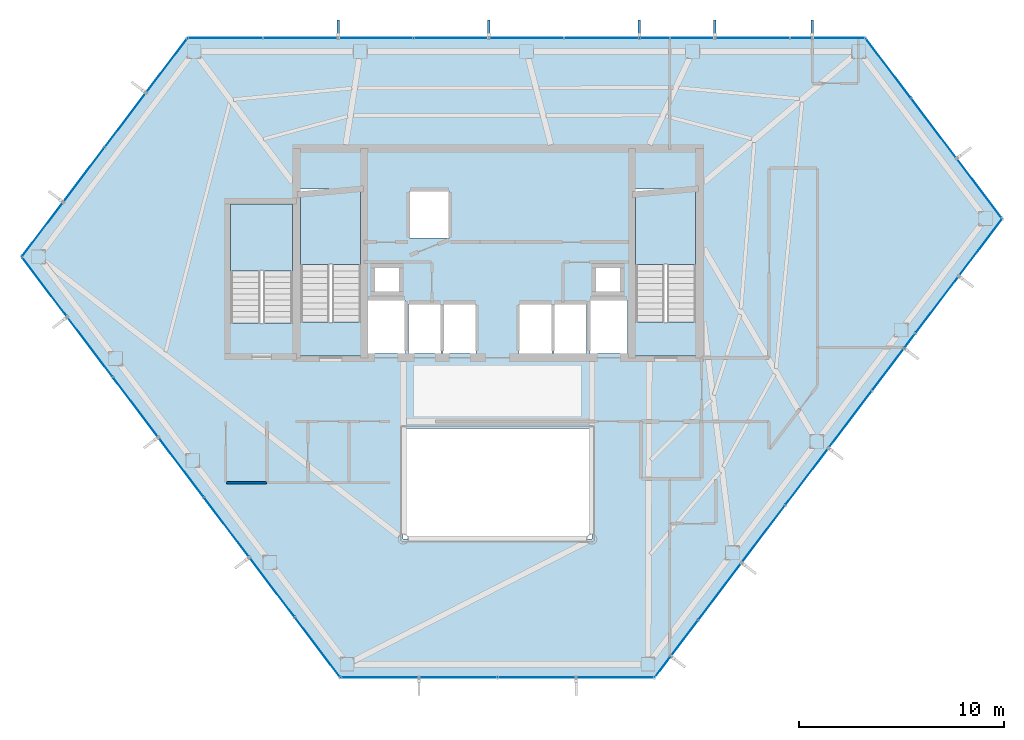
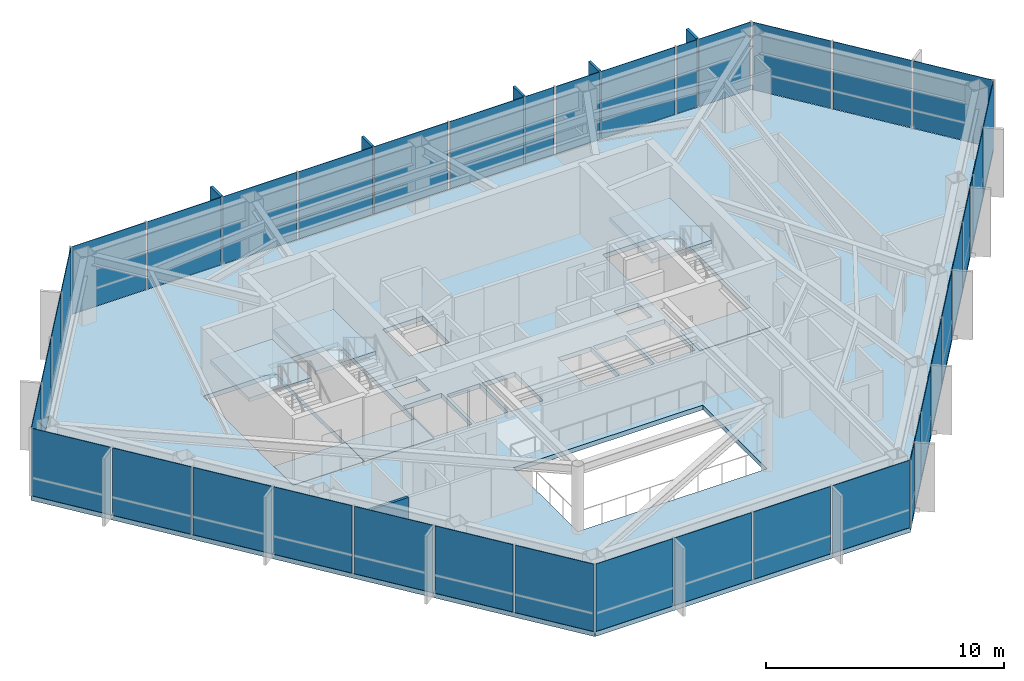
# One storey, part 24 of 28: 39 plates, 7 slabs, 5 members, 1 wall, 9 elements without a shape of their own.
"""IFC4 building model written with IfcOpenShell, lengths in metres."""

import ifcopenshell
import ifcopenshell.guid

model = None  # the IFC model being written
_history = None  # IfcOwnerHistory: only IFC2X3 demands one
_inside = {}  # id of a spatial element -> (the spatial element, [elements in it])
_under = {}  # id of a project, library or spatial element -> (it, [spatial elements below it])
_declared = {}  # id of a project -> (the project, [libraries it declares])
_typed = {}  # id of a type object -> (the type object, [elements of that type])
_made_of = {}  # id of a material, layer set ... -> (it, [elements and type objects made of it])


def new_model(schema):
    """Start an empty IFC model of exactly this schema.

    Asked for "IFC4X3", IfcOpenShell would pick the latest addendum, in which some entities
    have other attributes; the version numbers below select the first issue.
    IFC2X3 requires an IfcOwnerHistory on every rooted entity: one is made here for all.
    """
    global model, _history
    if schema == "IFC4X3":
        model = ifcopenshell.file(schema_version=(4, 3, 0, 0))
    else:
        model = ifcopenshell.file(schema=schema)
    _inside.clear()
    _under.clear()
    _declared.clear()
    _typed.clear()
    _made_of.clear()
    _history = None
    if model.schema == "IFC2X3":
        org = make("IfcOrganization", Name="unknown")
        user = make(
            "IfcPersonAndOrganization",
            ThePerson=make("IfcPerson", FamilyName="unknown"),
            TheOrganization=org,
        )
        app = make(
            "IfcApplication",
            ApplicationDeveloper=org,
            Version="unknown",
            ApplicationFullName="unknown",
            ApplicationIdentifier="unknown",
        )
        _history = make(
            "IfcOwnerHistory",
            OwningUser=user,
            OwningApplication=app,
            ChangeAction="ADDED",
            CreationDate=0,
        )
    return model


def make(cls, **values):
    """One entity of the class cls with the attributes given. An attribute that is None is left unset."""
    return model.create_entity(
        cls, **{name: value for name, value in values.items() if value is not None}
    )


def rooted(cls, **values):
    """An entity with a GlobalId (a new one), such as an element, a storey or a relation."""
    return make(cls, GlobalId=ifcopenshell.guid.new(), OwnerHistory=_history, **values)


def si_unit(unit_type, name, prefix=None):
    """IfcSIUnit, for example si_unit("LENGTHUNIT", "METRE", prefix="MILLI")."""
    return make("IfcSIUnit", UnitType=unit_type, Prefix=prefix, Name=name)


def assignment(units):
    """IfcUnitAssignment: the units of a project."""
    return None if units is None else make("IfcUnitAssignment", Units=units)


def point(xyz):
    """IfcCartesianPoint."""
    return None if xyz is None else make("IfcCartesianPoint", Coordinates=xyz)


def direction(xyz):
    """IfcDirection."""
    return None if xyz is None else make("IfcDirection", DirectionRatios=xyz)


def frame(location, z_axis=None, x_axis=None):
    """IfcAxis2Placement3D, a coordinate frame: its origin and axes. An axis left out is left unset."""
    return make(
        "IfcAxis2Placement3D",
        Location=point(location),
        Axis=direction(z_axis),
        RefDirection=direction(x_axis),
    )


def frame_2d(location, x_axis=None):
    """IfcAxis2Placement2D, a coordinate frame in the plane: its origin and x axis."""
    return make(
        "IfcAxis2Placement2D", Location=point(location), RefDirection=direction(x_axis)
    )


def origin():
    """The frame at (0, 0, 0) with its axes left unset."""
    return frame((0.0, 0.0, 0.0))


def origin_2d():
    """The frame at (0, 0) in the plane with its x axis left unset."""
    return frame_2d((0.0, 0.0))


def place(relative_to, where):
    """IfcLocalPlacement: puts the frame where relative to a parent placement (None: the world)."""
    return make(
        "IfcLocalPlacement", PlacementRelTo=relative_to, RelativePlacement=where
    )


def context(
    kind, dimensions, precision=None, world=None, true_north=None, identifier=None
):
    """IfcGeometricRepresentationContext, for example the 3D "Model" context."""
    return make(
        "IfcGeometricRepresentationContext",
        ContextIdentifier=identifier,
        ContextType=kind,
        CoordinateSpaceDimension=dimensions,
        Precision=precision,
        WorldCoordinateSystem=world,
        TrueNorth=true_north,
    )


def subcontext(parent, identifier, kind, view, scale=None):
    """IfcGeometricRepresentationSubContext, for example "Body" below "Model"."""
    return make(
        "IfcGeometricRepresentationSubContext",
        ContextIdentifier=identifier,
        ContextType=kind,
        ParentContext=parent,
        TargetScale=scale,
        TargetView=view,
    )


def project(units=None, contexts=None):
    """IfcProject with its units and contexts."""
    return rooted(
        "IfcProject",
        Name="project",
        RepresentationContexts=contexts,
        UnitsInContext=assignment(units),
    )


def spatial(cls, under=None, at=None, **own):
    """A site, building, storey or space (cls), placed at a placement, below another one or the project."""
    s = rooted(cls, ObjectPlacement=at, **own)
    if under is not None:
        _under.setdefault(under.id(), (under, []))[1].append(s)
    return s


def polyline(points):
    """IfcPolyline through the points."""
    return make("IfcPolyline", Points=[point(p) for p in points])


def profile(cls, at=None, kind="AREA", **sizes):
    """A parametric profile (cls). Its sizes go by their IFC names, for example OverallWidth=200.0."""
    return make(cls, ProfileType=kind, Position=at, **sizes)


def rectangle(**sizes):
    """IfcRectangleProfileDef."""
    return profile("IfcRectangleProfileDef", **sizes)


def outline(outer, holes=None, kind="AREA"):
    """IfcArbitraryClosedProfileDef: a profile drawn as a closed curve; with holes, ...WithVoids."""
    if holes is None:
        return make("IfcArbitraryClosedProfileDef", ProfileType=kind, OuterCurve=outer)
    return make(
        "IfcArbitraryProfileDefWithVoids",
        ProfileType=kind,
        OuterCurve=outer,
        InnerCurves=holes,
    )


def extrude(swept, where, along, depth):
    """IfcExtrudedAreaSolid: the profile swept, set in the frame where, extruded along a direction by depth."""
    return make(
        "IfcExtrudedAreaSolid",
        SweptArea=swept,
        Position=where,
        ExtrudedDirection=direction(along),
        Depth=depth,
    )


def shape(context_of_items, identifier, shape_type, items):
    """IfcShapeRepresentation: the items that make up one representation, for example the "Body"."""
    return make(
        "IfcShapeRepresentation",
        ContextOfItems=context_of_items,
        RepresentationIdentifier=identifier,
        RepresentationType=shape_type,
        Items=items,
    )


def material(Name=None, Category=None):
    """IfcMaterial."""
    return make("IfcMaterial", Name=Name, Category=Category)


def layer(
    of_material, thickness, ventilated=None, Name=None, Category=None, Priority=None
):
    """IfcMaterialLayer: one layer of a wall or slab, of a material (None: an air gap)."""
    return make(
        "IfcMaterialLayer",
        Material=of_material,
        LayerThickness=thickness,
        IsVentilated=ventilated,
        Name=Name,
        Category=Category,
        Priority=Priority,
    )


def layer_set(layers, Name=None):
    """IfcMaterialLayerSet."""
    return make("IfcMaterialLayerSet", MaterialLayers=layers, LayerSetName=Name)


def material_profile(
    of_material, cross_section, Name=None, Category=None, Priority=None
):
    """IfcMaterialProfile: a cross section and its material."""
    return make(
        "IfcMaterialProfile",
        Name=Name,
        Material=of_material,
        Profile=cross_section,
        Priority=Priority,
        Category=Category,
    )


def profile_set(profiles, Name=None, composite=None):
    """IfcMaterialProfileSet."""
    return make(
        "IfcMaterialProfileSet",
        Name=Name,
        MaterialProfiles=profiles,
        CompositeProfile=composite,
    )


def made_of(thing, what):
    """Note that an element or type object is made of a material, layer set ...; save() writes the relation."""
    if what is not None:
        _made_of.setdefault(what.id(), (what, []))[1].append(thing)
    return thing


def type_object(cls, material=None, **own):
    """A type object (cls), such as IfcWallType, which elements share."""
    return made_of(rooted(cls, **own), material)


def element(
    cls,
    number,
    at=None,
    inside=None,
    cuts=None,
    type_object=None,
    material=None,
    context=None,
    identifier="Body",
    shape_type=None,
    held_by="IfcProductDefinitionShape",
    body=None,
    shapes=None,
    **own,
):
    """One element of the class cls, such as IfcWall. Its Tag is "e" and its number.

    at: its placement. inside: the storey or other place that contains it. cuts: it is an
    opening in that element (IfcRelVoidsElement). A single representation is given by context,
    identifier, shape_type and body (its items); several are given by shapes. held_by: the class
    of the entity that holds the representations. save() writes the other relations.
    """
    e = rooted(cls, Tag="e%d" % number, ObjectPlacement=at, **own)
    if body is not None:
        shapes = [shape(context, identifier, shape_type, body)]
    if shapes is not None:
        e.Representation = make(held_by, Representations=shapes)
    if inside is not None:
        _inside.setdefault(inside.id(), (inside, []))[1].append(e)
    if cuts is not None:
        rooted(
            "IfcRelVoidsElement", RelatingBuildingElement=cuts, RelatedOpeningElement=e
        )
    if type_object is not None:
        _typed.setdefault(type_object.id(), (type_object, []))[1].append(e)
    return made_of(e, material)


def aggregate(whole, parts):
    """IfcRelAggregates: a whole, such as a stair, and the parts it consists of."""
    return rooted("IfcRelAggregates", RelatingObject=whole, RelatedObjects=parts)


def save(model, path):
    """Write the relations noted so far, then the file.

    IfcRelAggregates (storeys below a building ...), IfcRelContainedInSpatialStructure (elements
    in a storey), IfcRelDefinesByType, IfcRelAssociatesMaterial and IfcRelDeclares: one each for
    every whole, place, type object, material and project.
    """
    for whole, parts in _under.values():
        aggregate(whole, parts)
    for where, things in _inside.values():
        rooted(
            "IfcRelContainedInSpatialStructure",
            RelatedElements=things,
            RelatingStructure=where,
        )
    for kind, things in _typed.values():
        rooted("IfcRelDefinesByType", RelatedObjects=things, RelatingType=kind)
    for what, things in _made_of.values():
        rooted("IfcRelAssociatesMaterial", RelatedObjects=things, RelatingMaterial=what)
    for by, libraries in _declared.values():
        rooted("IfcRelDeclares", RelatingContext=by, RelatedDefinitions=libraries)
    model.write(path)


model = new_model("IFC4")

# Units and contexts
model_context = context("Model", 3, precision=1e-05, world=origin(), true_north=direction((0.0, 1.0)))
body_context = subcontext(model_context, "Body", "Model", "MODEL_VIEW")
ifc_project = project(units=[si_unit("LENGTHUNIT", "METRE"), si_unit("AREAUNIT", "SQUARE_METRE"), si_unit("VOLUMEUNIT", "CUBIC_METRE"), si_unit("PLANEANGLEUNIT", "RADIAN"), si_unit("MASSUNIT", "GRAM", prefix="KILO")], contexts=[model_context])

# Site, building, storey
site_placement = place(None, origin())
site = spatial("IfcSite", under=ifc_project, at=site_placement, CompositionType="ELEMENT")
building_placement = place(site_placement, origin())
building = spatial("IfcBuilding", under=site, at=building_placement, Name="Zarrinselat Tower", CompositionType="ELEMENT")
storey_placement = place(building_placement, frame((0.0, 0.0, 164.56005859375)))
storey = spatial("IfcBuildingStorey", under=building, at=storey_placement, Name="L40", CompositionType="ELEMENT", Elevation=164.56005859375)

# Curtain wall, members, plates
ifc_material_1 = material(Name="Extruded Aluminium Alloy EN AW-6063 T6", Category="aluminium")
ifc_layer_1 = layer(ifc_material_1, 0.175048828125)
ifc_layer_set_1 = layer_set([ifc_layer_1], Name="Extruded Aluminium Alloy EN AW-6063 T6")
curtain_wall_type = type_object("IfcCurtainWallType", Name="CWS-HTL", PredefinedType="NOTDEFINED", material=ifc_layer_set_1)
curtain_wall_1_placement = place(storey_placement, origin())
curtain_wall_1 = element("IfcCurtainWall", 1, at=curtain_wall_1_placement, inside=storey, type_object=curtain_wall_type, Name="L40 Unitised Curtain Wall CW-L40-E01", PredefinedType="NOTDEFINED")
ifc_material_2 = material(Name="Honed Cream Travertine Stone", Category="masonry")
ifc_material_profile = material_profile(ifc_material_2, rectangle(XDim=0.1201171875, YDim=0.85009765625, at=origin_2d()), Name="FIN 850x120")
ifc_profile_set = profile_set([ifc_material_profile], Name="Honed Cream Travertine Stone")
member_type = type_object("IfcMemberType", Name="MEM-STONE-FIN", PredefinedType="USERDEFINED", material=ifc_profile_set)
member_1_placement = place(storey_placement, frame((53.74609375, 49.298828125, 0.0), z_axis=(0.0, 0.0, 1.0), x_axis=(1.0, 0.0, 0.0)))
member_1 = element("IfcMember", 2, at=member_1_placement, type_object=member_type, Name="L40 Stone Shading Fin CW-L40-E01-01", ObjectType="FIN", PredefinedType="USERDEFINED", context=body_context, shape_type="SweptSolid", body=[
    extrude(rectangle(XDim=0.1201171875, YDim=0.85009765625, at=origin_2d()), origin(), (0.0, 0.0, 1.0), 3.5),
])
member_2_placement = place(storey_placement, frame((48.99755859375, 49.298828125, 0.0), z_axis=(0.0, 0.0, 1.0), x_axis=(1.0, 0.0, 0.0)))
member_2 = element("IfcMember", 3, at=member_2_placement, type_object=member_type, Name="L40 Stone Shading Fin CW-L40-E01-03", ObjectType="FIN", PredefinedType="USERDEFINED", context=body_context, shape_type="SweptSolid", body=[
    extrude(rectangle(XDim=0.1201171875, YDim=0.85009765625, at=origin_2d()), origin(), (0.0, 0.0, 1.0), 3.5),
])
member_3_placement = place(storey_placement, frame((45.322998046875, 49.298828125, 0.0), z_axis=(0.0, 0.0, 1.0), x_axis=(1.0, 0.0, 0.0)))
member_3 = element("IfcMember", 4, at=member_3_placement, type_object=member_type, Name="L40 Stone Shading Fin CW-L40-E01-05", ObjectType="FIN", PredefinedType="USERDEFINED", context=body_context, shape_type="SweptSolid", body=[
    extrude(rectangle(XDim=0.1201171875, YDim=0.85009765625, at=origin_2d()), origin(), (0.0, 0.0, 1.0), 3.5),
])
member_4_placement = place(storey_placement, frame((37.973876953125, 49.298828125, 0.0), z_axis=(0.0, 0.0, 1.0), x_axis=(1.0, 0.0, 0.0)))
member_4 = element("IfcMember", 5, at=member_4_placement, type_object=member_type, Name="L40 Stone Shading Fin CW-L40-E01-07", ObjectType="FIN", PredefinedType="USERDEFINED", context=body_context, shape_type="SweptSolid", body=[
    extrude(rectangle(XDim=0.1201171875, YDim=0.85009765625, at=origin_2d()), origin(), (0.0, 0.0, 1.0), 3.5),
])
member_5_placement = place(storey_placement, frame((30.62451171875, 49.298828125, 0.0), z_axis=(0.0, 0.0, 1.0), x_axis=(1.0, 0.0, 0.0)))
member_5 = element("IfcMember", 6, at=member_5_placement, type_object=member_type, Name="L40 Stone Shading Fin CW-L40-E01-09", ObjectType="FIN", PredefinedType="USERDEFINED", context=body_context, shape_type="SweptSolid", body=[
    extrude(rectangle(XDim=0.1201171875, YDim=0.85009765625, at=origin_2d()), origin(), (0.0, 0.0, 1.0), 3.5),
])
ifc_material_3 = material(Name="Double Low-E Laminated Solar Glass", Category="glass")
ifc_layer_2 = layer(ifc_material_3, 0.028076171875)
ifc_layer_set_2 = layer_set([ifc_layer_2], Name="Double Low-E Laminated Solar Glass")
plate_type = type_object("IfcPlateType", Name="PLT-CW-GL28", PredefinedType="CURTAIN_PANEL", material=ifc_layer_set_2)
plate_1_placement = place(storey_placement, frame((55.04638671875, 48.8388671875, 0.02001953125), z_axis=(0.0, 0.0, 1.0), x_axis=(-1.0, 0.0, 0.0)))
plate_1 = element("IfcPlate", 7, at=plate_1_placement, type_object=plate_type, Name="CW-L40-E01 Vision Glass Panel 1", PredefinedType="CURTAIN_PANEL", context=body_context, shape_type="SweptSolid", body=[
    extrude(rectangle(XDim=2.500732421875, YDim=0.028076171875, at=origin_2d()), origin(), (0.0, 0.0, 1.0), 3.4599609375),
])
plate_2_placement = place(storey_placement, frame((53.208984375, 48.8388671875, 0.02001953125), z_axis=(0.0, 0.0, 1.0), x_axis=(-1.0, 0.0, 0.0)))
plate_2 = element("IfcPlate", 8, at=plate_2_placement, type_object=plate_type, Name="CW-L40-E01 Vision Glass Panel 2", PredefinedType="CURTAIN_PANEL", context=body_context, shape_type="SweptSolid", body=[
    extrude(rectangle(XDim=0.973876953125, YDim=0.028076171875, at=origin_2d()), origin(), (0.0, 0.0, 1.0), 3.4599609375),
])
plate_3_placement = place(storey_placement, frame((50.834716796875, 48.8388671875, 0.02001953125), z_axis=(0.0, 0.0, 1.0), x_axis=(-1.0, 0.0, 0.0)))
plate_3 = element("IfcPlate", 9, at=plate_3_placement, type_object=plate_type, Name="CW-L40-E01 Vision Glass Panel 3", PredefinedType="CURTAIN_PANEL", context=body_context, shape_type="SweptSolid", body=[
    extrude(rectangle(XDim=3.57470703125, YDim=0.028076171875, at=origin_2d()), origin(), (0.0, 0.0, 1.0), 3.4599609375),
])
plate_4_placement = place(storey_placement, frame((47.898681640625, 48.8388671875, 0.02001953125), z_axis=(0.0, 0.0, 1.0), x_axis=(-1.0, 0.0, 0.0)))
plate_4 = element("IfcPlate", 10, at=plate_4_placement, type_object=plate_type, Name="CW-L40-E01 Vision Glass Panel 4", PredefinedType="CURTAIN_PANEL", context=body_context, shape_type="SweptSolid", body=[
    extrude(rectangle(XDim=2.097412109375, YDim=0.028076171875, at=origin_2d()), origin(), (0.0, 0.0, 1.0), 3.4599609375),
])
plate_5_placement = place(storey_placement, frame((46.0615234375, 48.8388671875, 0.02001953125), z_axis=(0.0, 0.0, 1.0), x_axis=(-1.0, 0.0, 0.0)))
plate_5 = element("IfcPlate", 11, at=plate_5_placement, type_object=plate_type, Name="CW-L40-E01 Vision Glass Panel 5", PredefinedType="CURTAIN_PANEL", context=body_context, shape_type="SweptSolid", body=[
    extrude(rectangle(XDim=1.377197265625, YDim=0.028076171875, at=origin_2d()), origin(), (0.0, 0.0, 1.0), 3.4599609375),
])
plate_6_placement = place(storey_placement, frame((43.485595703125, 48.8388671875, 0.02001953125), z_axis=(0.0, 0.0, 1.0), x_axis=(-1.0, 0.0, 0.0)))
plate_6 = element("IfcPlate", 12, at=plate_6_placement, type_object=plate_type, Name="CW-L40-E01 Vision Glass Panel 6", PredefinedType="CURTAIN_PANEL", context=body_context, shape_type="SweptSolid", body=[
    extrude(rectangle(XDim=3.57470703125, YDim=0.028076171875, at=origin_2d()), origin(), (0.0, 0.0, 1.0), 3.4599609375),
])
plate_7_placement = place(storey_placement, frame((39.81103515625, 48.8388671875, 0.02001953125), z_axis=(0.0, 0.0, 1.0), x_axis=(-1.0, 0.0, 0.0)))
plate_7 = element("IfcPlate", 13, at=plate_7_placement, type_object=plate_type, Name="CW-L40-E01 Vision Glass Panel 7", PredefinedType="CURTAIN_PANEL", context=body_context, shape_type="SweptSolid", body=[
    extrude(rectangle(XDim=3.57470703125, YDim=0.028076171875, at=origin_2d()), origin(), (0.0, 0.0, 1.0), 3.4599609375),
])
plate_8_placement = place(storey_placement, frame((36.136474609375, 48.8388671875, 0.02001953125), z_axis=(0.0, 0.0, 1.0), x_axis=(-1.0, 0.0, 0.0)))
plate_8 = element("IfcPlate", 14, at=plate_8_placement, type_object=plate_type, Name="CW-L40-E01 Vision Glass Panel 8", PredefinedType="CURTAIN_PANEL", context=body_context, shape_type="SweptSolid", body=[
    extrude(rectangle(XDim=3.57470703125, YDim=0.028076171875, at=origin_2d()), origin(), (0.0, 0.0, 1.0), 3.4599609375),
])
plate_9_placement = place(storey_placement, frame((32.4619140625, 48.8388671875, 0.02001953125), z_axis=(0.0, 0.0, 1.0), x_axis=(-1.0, 0.0, 0.0)))
plate_9 = element("IfcPlate", 15, at=plate_9_placement, type_object=plate_type, Name="CW-L40-E01 Vision Glass Panel 9", PredefinedType="CURTAIN_PANEL", context=body_context, shape_type="SweptSolid", body=[
    extrude(rectangle(XDim=3.57470703125, YDim=0.028076171875, at=origin_2d()), origin(), (0.0, 0.0, 1.0), 3.4599609375),
])
plate_10_placement = place(storey_placement, frame((28.787353515625, 48.8388671875, 0.02001953125), z_axis=(0.0, 0.0, 1.0), x_axis=(-1.0, 0.0, 0.0)))
plate_10 = element("IfcPlate", 16, at=plate_10_placement, type_object=plate_type, Name="CW-L40-E01 Vision Glass Panel 10", PredefinedType="CURTAIN_PANEL", context=body_context, shape_type="SweptSolid", body=[
    extrude(rectangle(XDim=3.57470703125, YDim=0.028076171875, at=origin_2d()), origin(), (0.0, 0.0, 1.0), 3.4599609375),
])
plate_11_placement = place(storey_placement, frame((25.11279296875, 48.8388671875, 0.02001953125), z_axis=(0.0, 0.0, 1.0), x_axis=(-1.0, 0.0, 0.0)))
plate_11 = element("IfcPlate", 17, at=plate_11_placement, type_object=plate_type, Name="CW-L40-E01 Vision Glass Panel 11", PredefinedType="CURTAIN_PANEL", context=body_context, shape_type="SweptSolid", body=[
    extrude(rectangle(XDim=3.57470703125, YDim=0.028076171875, at=origin_2d()), origin(), (0.0, 0.0, 1.0), 3.4599609375),
])
aggregate(curtain_wall_1, [member_1, member_2, member_3, member_4, member_5, plate_1, plate_2, plate_3, plate_4, plate_5, plate_6, plate_7, plate_8, plate_9, plate_10, plate_11])

# Curtain wall, plates
curtain_wall_2_placement = place(storey_placement, origin())
curtain_wall_2 = element("IfcCurtainWall", 18, at=curtain_wall_2_placement, inside=storey, type_object=curtain_wall_type, Name="L40 Unitised Curtain Wall CW-L40-E02", PredefinedType="NOTDEFINED")
plate_12_placement = place(storey_placement, frame((22.26513671875, 47.50537109375, 0.02001953125), z_axis=(0.0, 0.0, 1.0), x_axis=(-0.603854523079, -0.797094545808, 0.0)))
plate_12 = element("IfcPlate", 19, at=plate_12_placement, type_object=plate_type, Name="CW-L40-E02 Vision Glass Panel 1", PredefinedType="CURTAIN_PANEL", context=body_context, shape_type="SweptSolid", body=[
    extrude(rectangle(XDim=3.245849609375, YDim=0.028076171875, at=origin_2d()), origin(), (0.0, 0.0, 1.0), 3.4599609375),
])
plate_13_placement = place(storey_placement, frame((20.244873046875, 44.83837890625, 0.02001953125), z_axis=(0.0, 0.0, 1.0), x_axis=(-0.603854523079, -0.797094545808, 0.0)))
plate_13 = element("IfcPlate", 20, at=plate_13_placement, type_object=plate_type, Name="CW-L40-E02 Vision Glass Panel 2", PredefinedType="CURTAIN_PANEL", context=body_context, shape_type="SweptSolid", body=[
    extrude(rectangle(XDim=3.245849609375, YDim=0.028076171875, at=origin_2d()), origin(), (0.0, 0.0, 1.0), 3.4599609375),
])
plate_14_placement = place(storey_placement, frame((18.224365234375, 42.17138671875, 0.02001953125), z_axis=(0.0, 0.0, 1.0), x_axis=(-0.603854523079, -0.797094545808, 0.0)))
plate_14 = element("IfcPlate", 21, at=plate_14_placement, type_object=plate_type, Name="CW-L40-E02 Vision Glass Panel 3", PredefinedType="CURTAIN_PANEL", context=body_context, shape_type="SweptSolid", body=[
    extrude(rectangle(XDim=3.245849609375, YDim=0.028076171875, at=origin_2d()), origin(), (0.0, 0.0, 1.0), 3.4599609375),
])
plate_15_placement = place(storey_placement, frame((16.2041015625, 39.504638671875, 0.02001953125), z_axis=(0.0, 0.0, 1.0), x_axis=(-0.603854523079, -0.797094545808, 0.0)))
plate_15 = element("IfcPlate", 22, at=plate_15_placement, type_object=plate_type, Name="CW-L40-E02 Vision Glass Panel 4", PredefinedType="CURTAIN_PANEL", context=body_context, shape_type="SweptSolid", body=[
    extrude(rectangle(XDim=3.245849609375, YDim=0.028076171875, at=origin_2d()), origin(), (0.0, 0.0, 1.0), 3.4599609375),
])
aggregate(curtain_wall_2, [plate_12, plate_13, plate_14, plate_15])

curtain_wall_3_placement = place(storey_placement, origin())
curtain_wall_3 = element("IfcCurtainWall", 23, at=curtain_wall_3_placement, inside=storey, type_object=curtain_wall_type, Name="L40 Unitised Curtain Wall CW-L40-E03", PredefinedType="NOTDEFINED")
plate_16_placement = place(storey_placement, frame((16.30419921875, 36.70556640625, 0.02001953125), z_axis=(0.0, 0.0, 1.0), x_axis=(0.603857987184, -0.797091921496, 0.0)))
plate_16 = element("IfcPlate", 24, at=plate_16_placement, type_object=plate_type, Name="CW-L40-E03 Vision Glass Panel 1", PredefinedType="CURTAIN_PANEL", context=body_context, shape_type="SweptSolid", body=[
    extrude(rectangle(XDim=3.577392578125, YDim=0.028076171875, at=origin_2d()), origin(), (0.0, 0.0, 1.0), 3.4599609375),
])
plate_17_placement = place(storey_placement, frame((18.524658203125, 33.7744140625, 0.02001953125), z_axis=(0.0, 0.0, 1.0), x_axis=(0.603857987184, -0.797091921496, 0.0)))
plate_17 = element("IfcPlate", 25, at=plate_17_placement, type_object=plate_type, Name="CW-L40-E03 Vision Glass Panel 2", PredefinedType="CURTAIN_PANEL", context=body_context, shape_type="SweptSolid", body=[
    extrude(rectangle(XDim=3.577392578125, YDim=0.028076171875, at=origin_2d()), origin(), (0.0, 0.0, 1.0), 3.4599609375),
])
plate_18_placement = place(storey_placement, frame((20.7451171875, 30.84326171875, 0.02001953125), z_axis=(0.0, 0.0, 1.0), x_axis=(0.603857987184, -0.797091921496, 0.0)))
plate_18 = element("IfcPlate", 26, at=plate_18_placement, type_object=plate_type, Name="CW-L40-E03 Vision Glass Panel 3", PredefinedType="CURTAIN_PANEL", context=body_context, shape_type="SweptSolid", body=[
    extrude(rectangle(XDim=3.577392578125, YDim=0.028076171875, at=origin_2d()), origin(), (0.0, 0.0, 1.0), 3.4599609375),
])
plate_19_placement = place(storey_placement, frame((22.9658203125, 27.912109375, 0.02001953125), z_axis=(0.0, 0.0, 1.0), x_axis=(0.603857987184, -0.797091921496, 0.0)))
plate_19 = element("IfcPlate", 27, at=plate_19_placement, type_object=plate_type, Name="CW-L40-E03 Vision Glass Panel 4", PredefinedType="CURTAIN_PANEL", context=body_context, shape_type="SweptSolid", body=[
    extrude(rectangle(XDim=3.577392578125, YDim=0.028076171875, at=origin_2d()), origin(), (0.0, 0.0, 1.0), 3.4599609375),
])
plate_20_placement = place(storey_placement, frame((25.186279296875, 24.981201171875, 0.02001953125), z_axis=(0.0, 0.0, 1.0), x_axis=(0.603857987184, -0.797091921496, 0.0)))
plate_20 = element("IfcPlate", 28, at=plate_20_placement, type_object=plate_type, Name="CW-L40-E03 Vision Glass Panel 5", PredefinedType="CURTAIN_PANEL", context=body_context, shape_type="SweptSolid", body=[
    extrude(rectangle(XDim=3.577392578125, YDim=0.028076171875, at=origin_2d()), origin(), (0.0, 0.0, 1.0), 3.4599609375),
])
plate_21_placement = place(storey_placement, frame((27.40673828125, 22.050048828125, 0.02001953125), z_axis=(0.0, 0.0, 1.0), x_axis=(0.603857987184, -0.797091921496, 0.0)))
plate_21 = element("IfcPlate", 29, at=plate_21_placement, type_object=plate_type, Name="CW-L40-E03 Vision Glass Panel 6", PredefinedType="CURTAIN_PANEL", context=body_context, shape_type="SweptSolid", body=[
    extrude(rectangle(XDim=3.577392578125, YDim=0.028076171875, at=origin_2d()), origin(), (0.0, 0.0, 1.0), 3.4599609375),
])
plate_22_placement = place(storey_placement, frame((29.627197265625, 19.118896484375, 0.02001953125), z_axis=(0.0, 0.0, 1.0), x_axis=(0.603857987184, -0.797091921496, 0.0)))
plate_22 = element("IfcPlate", 30, at=plate_22_placement, type_object=plate_type, Name="CW-L40-E03 Vision Glass Panel 7", PredefinedType="CURTAIN_PANEL", context=body_context, shape_type="SweptSolid", body=[
    extrude(rectangle(XDim=3.577392578125, YDim=0.028076171875, at=origin_2d()), origin(), (0.0, 0.0, 1.0), 3.4599609375),
])
aggregate(curtain_wall_3, [plate_16, plate_17, plate_18, plate_19, plate_20, plate_21, plate_22])

curtain_wall_4_placement = place(storey_placement, origin())
curtain_wall_4 = element("IfcCurtainWall", 31, at=curtain_wall_4_placement, inside=storey, type_object=curtain_wall_type, Name="L40 Unitised Curtain Wall CW-L40-E04", PredefinedType="NOTDEFINED")
plate_23_placement = place(storey_placement, frame((32.6533203125, 17.6533203125, 0.02001953125), z_axis=(0.0, 0.0, 1.0), x_axis=(1.0, 0.0, 0.0)))
plate_23 = element("IfcPlate", 32, at=plate_23_placement, type_object=plate_type, Name="CW-L40-E04 Vision Glass Panel 1", PredefinedType="CURTAIN_PANEL", context=body_context, shape_type="SweptSolid", body=[
    extrude(rectangle(XDim=3.731201171875, YDim=0.028076171875, at=origin_2d()), origin(), (0.0, 0.0, 1.0), 3.4599609375),
])
plate_24_placement = place(storey_placement, frame((36.484375, 17.6533203125, 0.02001953125), z_axis=(0.0, 0.0, 1.0), x_axis=(1.0, 0.0, 0.0)))
plate_24 = element("IfcPlate", 33, at=plate_24_placement, type_object=plate_type, Name="CW-L40-E04 Vision Glass Panel 2", PredefinedType="CURTAIN_PANEL", context=body_context, shape_type="SweptSolid", body=[
    extrude(rectangle(XDim=3.731201171875, YDim=0.028076171875, at=origin_2d()), origin(), (0.0, 0.0, 1.0), 3.4599609375),
])
plate_25_placement = place(storey_placement, frame((40.315673828125, 17.6533203125, 0.02001953125), z_axis=(0.0, 0.0, 1.0), x_axis=(1.0, 0.0, 0.0)))
plate_25 = element("IfcPlate", 34, at=plate_25_placement, type_object=plate_type, Name="CW-L40-E04 Vision Glass Panel 3", PredefinedType="CURTAIN_PANEL", context=body_context, shape_type="SweptSolid", body=[
    extrude(rectangle(XDim=3.731201171875, YDim=0.028076171875, at=origin_2d()), origin(), (0.0, 0.0, 1.0), 3.4599609375),
])
plate_26_placement = place(storey_placement, frame((44.146728515625, 17.6533203125, 0.02001953125), z_axis=(0.0, 0.0, 1.0), x_axis=(1.0, 0.0, 0.0)))
plate_26 = element("IfcPlate", 35, at=plate_26_placement, type_object=plate_type, Name="CW-L40-E04 Vision Glass Panel 4", PredefinedType="CURTAIN_PANEL", context=body_context, shape_type="SweptSolid", body=[
    extrude(rectangle(XDim=3.731201171875, YDim=0.028076171875, at=origin_2d()), origin(), (0.0, 0.0, 1.0), 3.4599609375),
])
aggregate(curtain_wall_4, [plate_23, plate_24, plate_25, plate_26])

curtain_wall_5_placement = place(storey_placement, origin())
curtain_wall_5 = element("IfcCurtainWall", 36, at=curtain_wall_5_placement, inside=storey, type_object=curtain_wall_type, Name="L40 Unitised Curtain Wall CW-L40-E05", PredefinedType="NOTDEFINED")
plate_27_placement = place(storey_placement, frame((46.455078125, 18.171630859375, 0.02001953125), z_axis=(0.0, 0.0, 1.0), x_axis=(0.603858853713, 0.797091265033, 0.0)))
plate_27 = element("IfcPlate", 37, at=plate_27_placement, type_object=plate_type, Name="CW-L40-E05 Vision Glass Panel 1", PredefinedType="CURTAIN_PANEL", context=body_context, shape_type="SweptSolid", body=[
    extrude(rectangle(XDim=1.20068359375, YDim=0.028076171875, at=origin_2d()), origin(), (0.0, 0.0, 1.0), 3.4599609375),
])
plate_28_placement = place(storey_placement, frame((47.514892578125, 19.570556640625, 0.02001953125), z_axis=(0.0, 0.0, 1.0), x_axis=(0.603858853713, 0.797091265033, 0.0)))
plate_28 = element("IfcPlate", 38, at=plate_28_placement, type_object=plate_type, Name="CW-L40-E05 Vision Glass Panel 2", PredefinedType="CURTAIN_PANEL", context=body_context, shape_type="SweptSolid", body=[
    extrude(rectangle(XDim=2.10888671875, YDim=0.028076171875, at=origin_2d()), origin(), (0.0, 0.0, 1.0), 3.4599609375),
])
plate_29_placement = place(storey_placement, frame((49.241455078125, 21.849609375, 0.02001953125), z_axis=(0.0, 0.0, 1.0), x_axis=(0.603858853713, 0.797091265033, 0.0)))
plate_29 = element("IfcPlate", 39, at=plate_29_placement, type_object=plate_type, Name="CW-L40-E05 Vision Glass Panel 3", PredefinedType="CURTAIN_PANEL", context=body_context, shape_type="SweptSolid", body=[
    extrude(rectangle(XDim=3.40966796875, YDim=0.028076171875, at=origin_2d()), origin(), (0.0, 0.0, 1.0), 3.4599609375),
])
plate_30_placement = place(storey_placement, frame((51.36083984375, 24.647216796875, 0.02001953125), z_axis=(0.0, 0.0, 1.0), x_axis=(0.603858853713, 0.797091265033, 0.0)))
plate_30 = element("IfcPlate", 40, at=plate_30_placement, type_object=plate_type, Name="CW-L40-E05 Vision Glass Panel 4", PredefinedType="CURTAIN_PANEL", context=body_context, shape_type="SweptSolid", body=[
    extrude(rectangle(XDim=3.40966796875, YDim=0.028076171875, at=origin_2d()), origin(), (0.0, 0.0, 1.0), 3.4599609375),
])
plate_31_placement = place(storey_placement, frame((53.480224609375, 27.444580078125, 0.02001953125), z_axis=(0.0, 0.0, 1.0), x_axis=(0.603858853713, 0.797091265033, 0.0)))
plate_31 = element("IfcPlate", 41, at=plate_31_placement, type_object=plate_type, Name="CW-L40-E05 Vision Glass Panel 5", PredefinedType="CURTAIN_PANEL", context=body_context, shape_type="SweptSolid", body=[
    extrude(rectangle(XDim=3.40966796875, YDim=0.028076171875, at=origin_2d()), origin(), (0.0, 0.0, 1.0), 3.4599609375),
])
plate_32_placement = place(storey_placement, frame((55.599609375, 30.2421875, 0.02001953125), z_axis=(0.0, 0.0, 1.0), x_axis=(0.603858853713, 0.797091265033, 0.0)))
plate_32 = element("IfcPlate", 42, at=plate_32_placement, type_object=plate_type, Name="CW-L40-E05 Vision Glass Panel 6", PredefinedType="CURTAIN_PANEL", context=body_context, shape_type="SweptSolid", body=[
    extrude(rectangle(XDim=3.40966796875, YDim=0.028076171875, at=origin_2d()), origin(), (0.0, 0.0, 1.0), 3.4599609375),
])
plate_33_placement = place(storey_placement, frame((57.4453125, 32.6787109375, 0.02001953125), z_axis=(0.0, 0.0, 1.0), x_axis=(0.603858853713, 0.797091265033, 0.0)))
plate_33 = element("IfcPlate", 43, at=plate_33_placement, type_object=plate_type, Name="CW-L40-E05 Vision Glass Panel 7", PredefinedType="CURTAIN_PANEL", context=body_context, shape_type="SweptSolid", body=[
    extrude(rectangle(XDim=2.503662109375, YDim=0.028076171875, at=origin_2d()), origin(), (0.0, 0.0, 1.0), 3.4599609375),
])
plate_34_placement = place(storey_placement, frame((58.5048828125, 34.077392578125, 0.02001953125), z_axis=(0.0, 0.0, 1.0), x_axis=(0.603858853713, 0.797091265033, 0.0)))
plate_34 = element("IfcPlate", 44, at=plate_34_placement, type_object=plate_type, Name="CW-L40-E05 Vision Glass Panel 8", PredefinedType="CURTAIN_PANEL", context=body_context, shape_type="SweptSolid", body=[
    extrude(rectangle(XDim=0.80615234375, YDim=0.028076171875, at=origin_2d()), origin(), (0.0, 0.0, 1.0), 3.4599609375),
])
plate_35_placement = place(storey_placement, frame((59.83837890625, 35.83740234375, 0.02001953125), z_axis=(0.0, 0.0, 1.0), x_axis=(0.603858853713, 0.797091265033, 0.0)))
plate_35 = element("IfcPlate", 45, at=plate_35_placement, type_object=plate_type, Name="CW-L40-E05 Vision Glass Panel 9", PredefinedType="CURTAIN_PANEL", context=body_context, shape_type="SweptSolid", body=[
    extrude(rectangle(XDim=3.40966796875, YDim=0.028076171875, at=origin_2d()), origin(), (0.0, 0.0, 1.0), 3.4599609375),
])
plate_36_placement = place(storey_placement, frame((61.95751953125, 38.635009765625, 0.02001953125), z_axis=(0.0, 0.0, 1.0), x_axis=(0.603858853713, 0.797091265033, 0.0)))
plate_36 = element("IfcPlate", 46, at=plate_36_placement, type_object=plate_type, Name="CW-L40-E05 Vision Glass Panel 10", PredefinedType="CURTAIN_PANEL", context=body_context, shape_type="SweptSolid", body=[
    extrude(rectangle(XDim=3.40966796875, YDim=0.028076171875, at=origin_2d()), origin(), (0.0, 0.0, 1.0), 3.4599609375),
])
aggregate(curtain_wall_5, [plate_27, plate_28, plate_29, plate_30, plate_31, plate_32, plate_33, plate_34, plate_35, plate_36])

curtain_wall_6_placement = place(storey_placement, origin())
curtain_wall_6 = element("IfcCurtainWall", 47, at=curtain_wall_6_placement, inside=storey, type_object=curtain_wall_type, Name="L40 Unitised Curtain Wall CW-L40-E06", PredefinedType="NOTDEFINED")
plate_37_placement = place(storey_placement, frame((61.905517578125, 41.501220703125, 0.02001953125), z_axis=(0.0, 0.0, 1.0), x_axis=(-0.603857339419, 0.797092412227, 0.0)))
plate_37 = element("IfcPlate", 48, at=plate_37_placement, type_object=plate_type, Name="CW-L40-E06 Vision Glass Panel 1", PredefinedType="CURTAIN_PANEL", context=body_context, shape_type="SweptSolid", body=[
    extrude(rectangle(XDim=3.582275390625, YDim=0.028076171875, at=origin_2d()), origin(), (0.0, 0.0, 1.0), 3.4599609375),
])
plate_38_placement = place(storey_placement, frame((59.681884765625, 44.436279296875, 0.02001953125), z_axis=(0.0, 0.0, 1.0), x_axis=(-0.603857339419, 0.797092412227, 0.0)))
plate_38 = element("IfcPlate", 49, at=plate_38_placement, type_object=plate_type, Name="CW-L40-E06 Vision Glass Panel 2", PredefinedType="CURTAIN_PANEL", context=body_context, shape_type="SweptSolid", body=[
    extrude(rectangle(XDim=3.582275390625, YDim=0.028076171875, at=origin_2d()), origin(), (0.0, 0.0, 1.0), 3.4599609375),
])
plate_39_placement = place(storey_placement, frame((57.45849609375, 47.371337890625, 0.02001953125), z_axis=(0.0, 0.0, 1.0), x_axis=(-0.603857339419, 0.797092412227, 0.0)))
plate_39 = element("IfcPlate", 50, at=plate_39_placement, type_object=plate_type, Name="CW-L40-E06 Vision Glass Panel 3", PredefinedType="CURTAIN_PANEL", context=body_context, shape_type="SweptSolid", body=[
    extrude(rectangle(XDim=3.582275390625, YDim=0.028076171875, at=origin_2d()), origin(), (0.0, 0.0, 1.0), 3.4599609375),
])
aggregate(curtain_wall_6, [plate_37, plate_38, plate_39])

# Slabs
ifc_material_4 = material(Name="Concrete C40/50", Category="concrete")
ifc_layer_3 = layer(ifc_material_4, 0.239990234375)
ifc_layer_set_3 = layer_set([ifc_layer_3], Name="Concrete C40/50")
slab_type_1 = type_object("IfcSlabType", Name="SLB-FLOOR-240-SL-HT240", PredefinedType="FLOOR", material=ifc_layer_set_3)
slab_1_placement = place(storey_placement, frame((0.0, 0.0, -0.239990234375)))
element("IfcSlab", 51, at=slab_1_placement, inside=storey, type_object=slab_type_1, Name="L40 Primary Structural Slab", PredefinedType="FLOOR", context=body_context, shape_type="SweptSolid", body=[
    extrude(outline(polyline([(56.3466796875, 48.8388671875), (23.275390625, 48.8388671875), (15.19384765625, 38.171142578125), (30.737548828125, 17.6533203125), (46.0625, 17.6533203125), (63.017333984375, 40.03369140625), (56.3466796875, 48.8388671875)]), holes=[polyline([(35.64990234375, 33.449951171875), (34.050048828125, 33.449951171875), (34.050048828125, 35.85009765625), (35.64990234375, 35.85009765625), (35.64990234375, 33.449951171875)]), polyline([(35.75, 33.449951171875), (35.75, 35.85009765625), (37.35009765625, 35.85009765625), (37.35009765625, 33.449951171875), (35.75, 33.449951171875)]), polyline([(32.06005859375, 33.449951171875), (32.06005859375, 36.050048828125), (33.89990234375, 36.050048828125), (33.89990234375, 33.449951171875), (32.06005859375, 33.449951171875)]), polyline([(33.60009765625, 36.47998046875), (32.419921875, 36.47998046875), (32.419921875, 37.639892578125), (33.60009765625, 37.639892578125), (33.60009765625, 36.47998046875)]), polyline([(28.594970703125, 33.324951171875), (25.114990234375, 33.324951171875), (25.114990234375, 40.875), (28.594970703125, 40.875), (28.594970703125, 33.324951171875)]), polyline([(31.985107421875, 33.324951171875), (28.60498046875, 33.324951171875), (28.60498046875, 41.47509765625), (31.985107421875, 41.47509765625), (31.985107421875, 33.324951171875)]), polyline([(36.050048828125, 39.10009765625), (34.10009765625, 39.10009765625), (34.10009765625, 41.35009765625), (36.050048828125, 41.35009765625), (36.050048828125, 39.10009765625)]), polyline([(33.800048828125, 24.39990234375), (33.800048828125, 29.800048828125), (43.0, 29.800048828125), (43.0, 24.39990234375), (33.800048828125, 24.39990234375)]), polyline([(39.449951171875, 33.449951171875), (39.449951171875, 35.85009765625), (41.050048828125, 35.85009765625), (41.050048828125, 33.449951171875), (39.449951171875, 33.449951171875)]), polyline([(41.14990234375, 33.449951171875), (41.14990234375, 35.85009765625), (42.75, 35.85009765625), (42.75, 33.449951171875), (41.14990234375, 33.449951171875)]), polyline([(42.89990234375, 33.449951171875), (42.89990234375, 36.050048828125), (44.739990234375, 36.050048828125), (44.739990234375, 33.449951171875), (42.89990234375, 33.449951171875)]), polyline([(43.199951171875, 36.47998046875), (43.199951171875, 37.639892578125), (44.3798828125, 37.639892578125), (44.3798828125, 36.47998046875), (43.199951171875, 36.47998046875)]), polyline([(48.324951171875, 33.324951171875), (44.875, 33.324951171875), (44.875, 41.47509765625), (48.324951171875, 41.47509765625), (48.324951171875, 33.324951171875)])]), origin(), (0.0, 0.0, 1.0), 0.239990234375),
])
slab_2_placement = place(storey_placement, frame((0.0, 0.0, -0.239990234375)))
element("IfcSlab", 52, at=slab_2_placement, inside=storey, type_object=slab_type_1, Name="L40 Stair ST-1-FL1 Structural Floor Landing", PredefinedType="FLOOR", context=body_context, shape_type="SweptSolid", body=[
    extrude(outline(polyline([(31.97998046875, 33.330078125), (31.97998046875, 35.0), (28.610107421875, 35.0), (28.610107421875, 33.330078125), (31.97998046875, 33.330078125)])), origin(), (0.0, 0.0, 1.0), 0.239990234375),
])
slab_3_placement = place(storey_placement, frame((0.0, 0.0, -0.239990234375)))
element("IfcSlab", 53, at=slab_3_placement, inside=storey, type_object=slab_type_1, Name="L40 Stair ST-2-FL1 Structural Floor Landing", PredefinedType="FLOOR", context=body_context, shape_type="SweptSolid", body=[
    extrude(outline(polyline([(48.320068359375, 33.330078125), (48.320068359375, 35.0), (44.8798828125, 35.0), (44.8798828125, 33.330078125), (48.320068359375, 33.330078125)])), origin(), (0.0, 0.0, 1.0), 0.239990234375),
])
slab_4_placement = place(storey_placement, frame((0.0, 0.0, -0.239990234375)))
element("IfcSlab", 54, at=slab_4_placement, inside=storey, type_object=slab_type_1, Name="L40 Stair ST-3-FL1 Structural Floor Landing", PredefinedType="FLOOR", context=body_context, shape_type="SweptSolid", body=[
    extrude(outline(polyline([(28.590087890625, 33.330078125), (28.590087890625, 34.949951171875), (25.1201171875, 34.949951171875), (25.1201171875, 33.330078125), (28.590087890625, 33.330078125)])), origin(), (0.0, 0.0, 1.0), 0.239990234375),
])

# Stair, slab
ifc_material_5 = material(Name="Concrete C40/50", Category="concrete")
stair_type_1 = type_object("IfcStairType", Name="STR-CORE-145", PredefinedType="HALF_TURN_STAIR", material=ifc_material_5)
stair_1_placement = place(storey_placement, origin())
stair_1 = element("IfcStair", 55, at=stair_1_placement, inside=storey, type_object=stair_type_1, Name="L40 Podium & Mid-Tower Exit Stair 3", PredefinedType="HALF_TURN_STAIR")
ifc_material_6 = material(Name="Concrete C40/50", Category="concrete")
ifc_layer_4 = layer(ifc_material_6, 0.1650390625)
ifc_layer_set_4 = layer_set([ifc_layer_4], Name="Concrete C40/50")
slab_type_2 = type_object("IfcSlabType", Name="SLB-LND-165", PredefinedType="LANDING", material=ifc_layer_set_4)
slab_5_placement = place(storey_placement, frame((0.0, 0.0, 1.669921875)))
slab_5 = element("IfcSlab", 56, at=slab_5_placement, type_object=slab_type_2, Name="ST-3 landing 1", PredefinedType="LANDING", context=body_context, shape_type="SweptSolid", body=[
    extrude(outline(polyline([(28.39990234375, 37.469970703125), (28.39990234375, 40.75), (25.3798828125, 40.75), (25.3798828125, 37.469970703125), (28.39990234375, 37.469970703125)])), origin(), (0.0, 0.0, 1.0), 0.199951171875),
])
aggregate(stair_1, [slab_5])

ifc_material_7 = material(Name="Concrete C40/50", Category="concrete")
stair_type_2 = type_object("IfcStairType", Name="STR-CORE-155", PredefinedType="HALF_TURN_STAIR", material=ifc_material_7)
stair_2_placement = place(storey_placement, origin())
stair_2 = element("IfcStair", 57, at=stair_2_placement, inside=storey, type_object=stair_type_2, Name="L40 Core Exit Stair 1", PredefinedType="HALF_TURN_STAIR")
ifc_material_8 = material(Name="Concrete C40/50", Category="concrete")
ifc_layer_5 = layer(ifc_material_8, 0.18994140625)
ifc_layer_set_5 = layer_set([ifc_layer_5], Name="Concrete C40/50")
slab_type_3 = type_object("IfcSlabType", Name="SLB-LND-190", PredefinedType="LANDING", material=ifc_layer_set_5)
slab_6_placement = place(storey_placement, frame((0.0, 0.0, 1.669921875)))
slab_6 = element("IfcSlab", 58, at=slab_6_placement, type_object=slab_type_3, Name="ST-1 landing 1", PredefinedType="LANDING", context=body_context, shape_type="SweptSolid", body=[
    extrude(outline(polyline([(31.719970703125, 37.7900390625), (31.719970703125, 41.35009765625), (28.800048828125, 41.35009765625), (28.800048828125, 37.7900390625), (31.719970703125, 37.7900390625)])), origin(), (0.0, 0.0, 1.0), 0.199951171875),
])
aggregate(stair_2, [slab_6])

stair_3_placement = place(storey_placement, origin())
stair_3 = element("IfcStair", 59, at=stair_3_placement, inside=storey, type_object=stair_type_2, Name="L40 Core Exit Stair 2", PredefinedType="HALF_TURN_STAIR")
slab_7_placement = place(storey_placement, frame((0.0, 0.0, 1.669921875)))
slab_7 = element("IfcSlab", 60, at=slab_7_placement, type_object=slab_type_3, Name="ST-2 landing 1", PredefinedType="LANDING", context=body_context, shape_type="SweptSolid", body=[
    extrude(outline(polyline([(48.06005859375, 37.7900390625), (48.06005859375, 41.35009765625), (45.139892578125, 41.35009765625), (45.139892578125, 37.7900390625), (48.06005859375, 37.7900390625)])), origin(), (0.0, 0.0, 1.0), 0.199951171875),
])
aggregate(stair_3, [slab_7])

# Wall
ifc_material_9 = material(Name="Fire-Rated Gypsum Board Partition", Category="gypsum")
ifc_layer_6 = layer(ifc_material_9, 0.1201171875)
ifc_layer_set_6 = layer_set([ifc_layer_6], Name="Fire-Rated Gypsum Board Partition")
wall_type = type_object("IfcWallType", Name="WAL-PART-STD", PredefinedType="PARTITIONING", material=ifc_layer_set_6)
wall_placement = place(storey_placement, frame((25.169921875, 27.14990234375, 0.0), z_axis=(0.0, 0.0, 1.0), x_axis=(1.0, 0.0, 0.0)))
element("IfcWall", 61, at=wall_placement, inside=storey, type_object=wall_type, Name="L40 Partition Wall 29", PredefinedType="PARTITIONING", context=body_context, shape_type="SweptSolid", body=[
    extrude(rectangle(XDim=1.9599609375, YDim=0.1201171875, at=frame_2d((0.97998046875, 0.0))), origin(), (0.0, 0.0, 1.0), 2.45703125),
])

save(model, "model.ifc")
